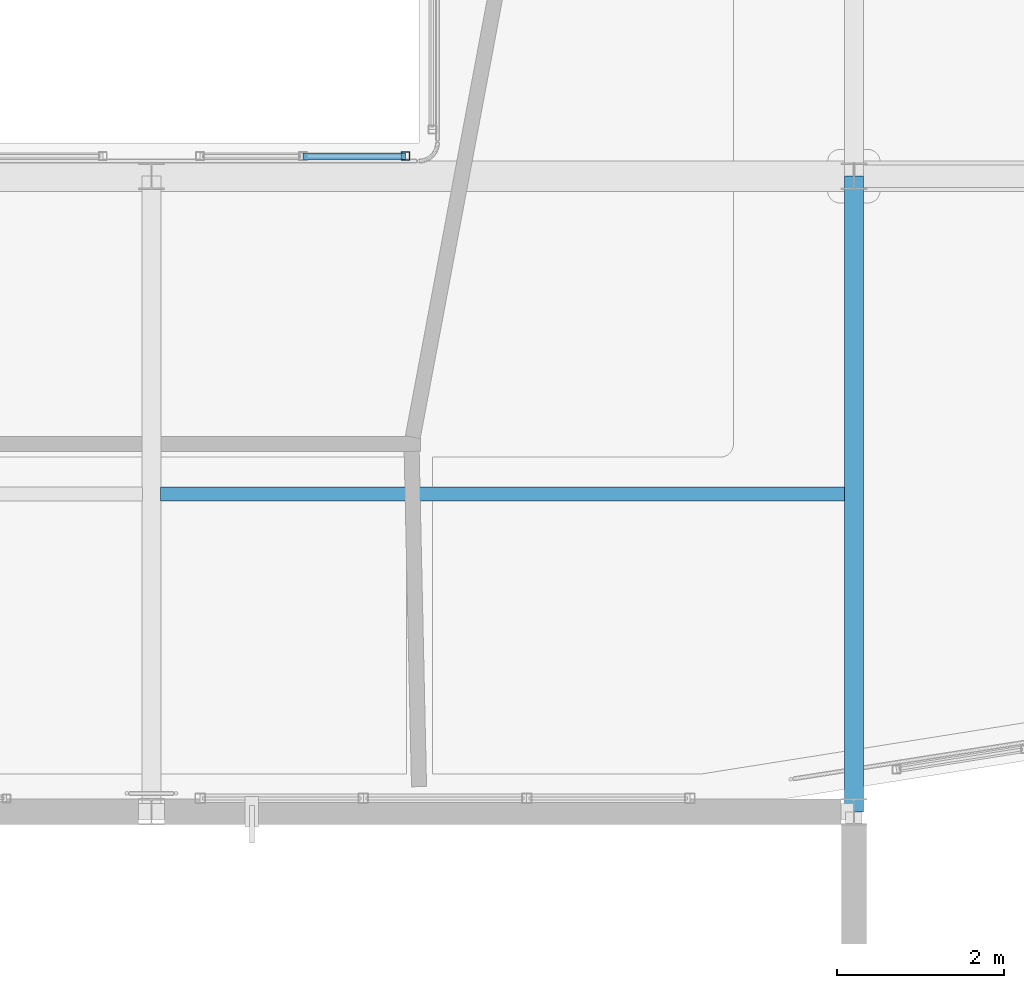
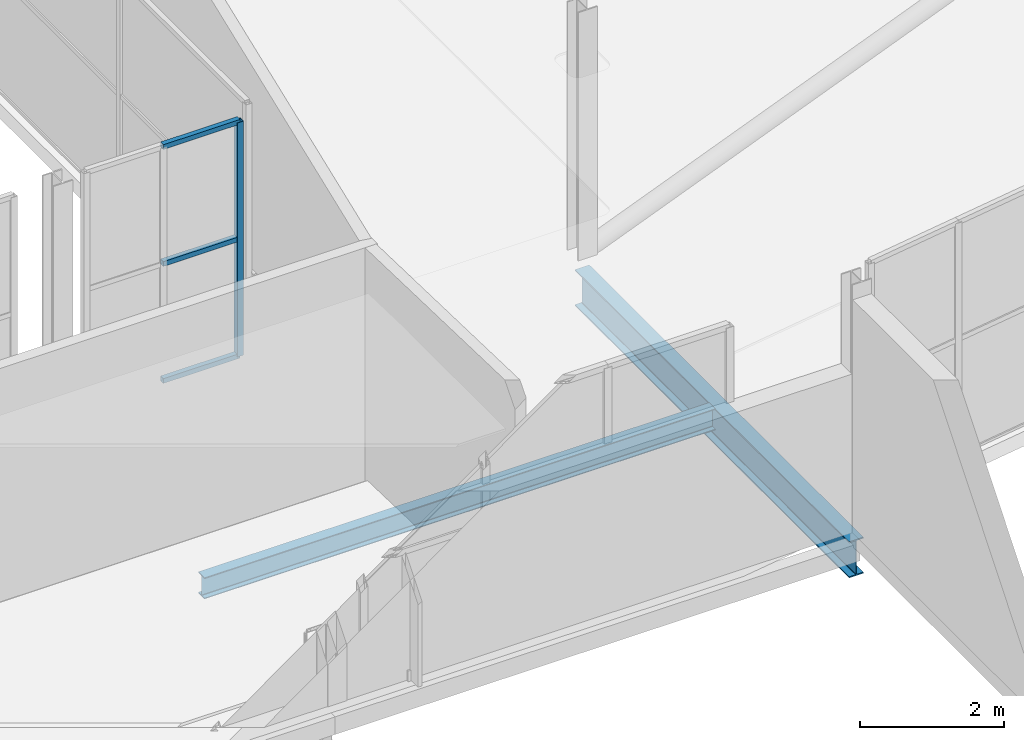
# One storey, part 89 of 151: 4 members, 2 beams, 1 element without a shape of its own.
"""IFC4 building model written with IfcOpenShell, lengths in metres."""

import ifcopenshell
import ifcopenshell.guid

model = None  # the IFC model being written
_history = None  # IfcOwnerHistory: only IFC2X3 demands one
_inside = {}  # id of a spatial element -> (the spatial element, [elements in it])
_under = {}  # id of a project, library or spatial element -> (it, [spatial elements below it])
_declared = {}  # id of a project -> (the project, [libraries it declares])
_typed = {}  # id of a type object -> (the type object, [elements of that type])
_made_of = {}  # id of a material, layer set ... -> (it, [elements and type objects made of it])


def new_model(schema):
    """Start an empty IFC model of exactly this schema.

    Asked for "IFC4X3", IfcOpenShell would pick the latest addendum, in which some entities
    have other attributes; the version numbers below select the first issue.
    IFC2X3 requires an IfcOwnerHistory on every rooted entity: one is made here for all.
    """
    global model, _history
    if schema == "IFC4X3":
        model = ifcopenshell.file(schema_version=(4, 3, 0, 0))
    else:
        model = ifcopenshell.file(schema=schema)
    _inside.clear()
    _under.clear()
    _declared.clear()
    _typed.clear()
    _made_of.clear()
    _history = None
    if model.schema == "IFC2X3":
        org = make("IfcOrganization", Name="unknown")
        user = make(
            "IfcPersonAndOrganization",
            ThePerson=make("IfcPerson", FamilyName="unknown"),
            TheOrganization=org,
        )
        app = make(
            "IfcApplication",
            ApplicationDeveloper=org,
            Version="unknown",
            ApplicationFullName="unknown",
            ApplicationIdentifier="unknown",
        )
        _history = make(
            "IfcOwnerHistory",
            OwningUser=user,
            OwningApplication=app,
            ChangeAction="ADDED",
            CreationDate=0,
        )
    return model


def make(cls, **values):
    """One entity of the class cls with the attributes given. An attribute that is None is left unset."""
    return model.create_entity(
        cls, **{name: value for name, value in values.items() if value is not None}
    )


def rooted(cls, **values):
    """An entity with a GlobalId (a new one), such as an element, a storey or a relation."""
    return make(cls, GlobalId=ifcopenshell.guid.new(), OwnerHistory=_history, **values)


def si_unit(unit_type, name, prefix=None):
    """IfcSIUnit, for example si_unit("LENGTHUNIT", "METRE", prefix="MILLI")."""
    return make("IfcSIUnit", UnitType=unit_type, Prefix=prefix, Name=name)


def assignment(units):
    """IfcUnitAssignment: the units of a project."""
    return None if units is None else make("IfcUnitAssignment", Units=units)


def point(xyz):
    """IfcCartesianPoint."""
    return None if xyz is None else make("IfcCartesianPoint", Coordinates=xyz)


def direction(xyz):
    """IfcDirection."""
    return None if xyz is None else make("IfcDirection", DirectionRatios=xyz)


def frame(location, z_axis=None, x_axis=None):
    """IfcAxis2Placement3D, a coordinate frame: its origin and axes. An axis left out is left unset."""
    return make(
        "IfcAxis2Placement3D",
        Location=point(location),
        Axis=direction(z_axis),
        RefDirection=direction(x_axis),
    )


def frame_2d(location, x_axis=None):
    """IfcAxis2Placement2D, a coordinate frame in the plane: its origin and x axis."""
    return make(
        "IfcAxis2Placement2D", Location=point(location), RefDirection=direction(x_axis)
    )


def origin():
    """The frame at (0, 0, 0) with its axes left unset."""
    return frame((0.0, 0.0, 0.0))


def origin_2d():
    """The frame at (0, 0) in the plane with its x axis left unset."""
    return frame_2d((0.0, 0.0))


def place(relative_to, where):
    """IfcLocalPlacement: puts the frame where relative to a parent placement (None: the world)."""
    return make(
        "IfcLocalPlacement", PlacementRelTo=relative_to, RelativePlacement=where
    )


def context(
    kind, dimensions, precision=None, world=None, true_north=None, identifier=None
):
    """IfcGeometricRepresentationContext, for example the 3D "Model" context."""
    return make(
        "IfcGeometricRepresentationContext",
        ContextIdentifier=identifier,
        ContextType=kind,
        CoordinateSpaceDimension=dimensions,
        Precision=precision,
        WorldCoordinateSystem=world,
        TrueNorth=true_north,
    )


def subcontext(parent, identifier, kind, view, scale=None):
    """IfcGeometricRepresentationSubContext, for example "Body" below "Model"."""
    return make(
        "IfcGeometricRepresentationSubContext",
        ContextIdentifier=identifier,
        ContextType=kind,
        ParentContext=parent,
        TargetScale=scale,
        TargetView=view,
    )


def project(units=None, contexts=None):
    """IfcProject with its units and contexts."""
    return rooted(
        "IfcProject",
        Name="project",
        RepresentationContexts=contexts,
        UnitsInContext=assignment(units),
    )


def spatial(cls, under=None, at=None, **own):
    """A site, building, storey or space (cls), placed at a placement, below another one or the project."""
    s = rooted(cls, ObjectPlacement=at, **own)
    if under is not None:
        _under.setdefault(under.id(), (under, []))[1].append(s)
    return s


def profile(cls, at=None, kind="AREA", **sizes):
    """A parametric profile (cls). Its sizes go by their IFC names, for example OverallWidth=200.0."""
    return make(cls, ProfileType=kind, Position=at, **sizes)


def hollow_rectangle(**sizes):
    """IfcRectangleHollowProfileDef."""
    return profile("IfcRectangleHollowProfileDef", **sizes)


def i_section(**sizes):
    """IfcIShapeProfileDef."""
    return profile("IfcIShapeProfileDef", **sizes)


def extrude(swept, where, along, depth):
    """IfcExtrudedAreaSolid: the profile swept, set in the frame where, extruded along a direction by depth."""
    return make(
        "IfcExtrudedAreaSolid",
        SweptArea=swept,
        Position=where,
        ExtrudedDirection=direction(along),
        Depth=depth,
    )


def shape(context_of_items, identifier, shape_type, items):
    """IfcShapeRepresentation: the items that make up one representation, for example the "Body"."""
    return make(
        "IfcShapeRepresentation",
        ContextOfItems=context_of_items,
        RepresentationIdentifier=identifier,
        RepresentationType=shape_type,
        Items=items,
    )


def material(Name=None, Category=None):
    """IfcMaterial."""
    return make("IfcMaterial", Name=Name, Category=Category)


def material_profile(
    of_material, cross_section, Name=None, Category=None, Priority=None
):
    """IfcMaterialProfile: a cross section and its material."""
    return make(
        "IfcMaterialProfile",
        Name=Name,
        Material=of_material,
        Profile=cross_section,
        Priority=Priority,
        Category=Category,
    )


def profile_set(profiles, Name=None, composite=None):
    """IfcMaterialProfileSet."""
    return make(
        "IfcMaterialProfileSet",
        Name=Name,
        MaterialProfiles=profiles,
        CompositeProfile=composite,
    )


def made_of(thing, what):
    """Note that an element or type object is made of a material, layer set ...; save() writes the relation."""
    if what is not None:
        _made_of.setdefault(what.id(), (what, []))[1].append(thing)
    return thing


def type_object(cls, material=None, **own):
    """A type object (cls), such as IfcWallType, which elements share."""
    return made_of(rooted(cls, **own), material)


def element(
    cls,
    number,
    at=None,
    inside=None,
    cuts=None,
    type_object=None,
    material=None,
    context=None,
    identifier="Body",
    shape_type=None,
    held_by="IfcProductDefinitionShape",
    body=None,
    shapes=None,
    **own,
):
    """One element of the class cls, such as IfcWall. Its Tag is "e" and its number.

    at: its placement. inside: the storey or other place that contains it. cuts: it is an
    opening in that element (IfcRelVoidsElement). A single representation is given by context,
    identifier, shape_type and body (its items); several are given by shapes. held_by: the class
    of the entity that holds the representations. save() writes the other relations.
    """
    e = rooted(cls, Tag="e%d" % number, ObjectPlacement=at, **own)
    if body is not None:
        shapes = [shape(context, identifier, shape_type, body)]
    if shapes is not None:
        e.Representation = make(held_by, Representations=shapes)
    if inside is not None:
        _inside.setdefault(inside.id(), (inside, []))[1].append(e)
    if cuts is not None:
        rooted(
            "IfcRelVoidsElement", RelatingBuildingElement=cuts, RelatedOpeningElement=e
        )
    if type_object is not None:
        _typed.setdefault(type_object.id(), (type_object, []))[1].append(e)
    return made_of(e, material)


def aggregate(whole, parts):
    """IfcRelAggregates: a whole, such as a stair, and the parts it consists of."""
    return rooted("IfcRelAggregates", RelatingObject=whole, RelatedObjects=parts)


def save(model, path):
    """Write the relations noted so far, then the file.

    IfcRelAggregates (storeys below a building ...), IfcRelContainedInSpatialStructure (elements
    in a storey), IfcRelDefinesByType, IfcRelAssociatesMaterial and IfcRelDeclares: one each for
    every whole, place, type object, material and project.
    """
    for whole, parts in _under.values():
        aggregate(whole, parts)
    for where, things in _inside.values():
        rooted(
            "IfcRelContainedInSpatialStructure",
            RelatedElements=things,
            RelatingStructure=where,
        )
    for kind, things in _typed.values():
        rooted("IfcRelDefinesByType", RelatedObjects=things, RelatingType=kind)
    for what, things in _made_of.values():
        rooted("IfcRelAssociatesMaterial", RelatedObjects=things, RelatingMaterial=what)
    for by, libraries in _declared.values():
        rooted("IfcRelDeclares", RelatingContext=by, RelatedDefinitions=libraries)
    model.write(path)


model = new_model("IFC4")

# Units and contexts
model_context = context("Model", 3, precision=1e-05, world=origin(), true_north=direction((0.0, 1.0)))
body_context = subcontext(model_context, "Body", "Model", "MODEL_VIEW")
ifc_project = project(units=[si_unit("LENGTHUNIT", "METRE"), si_unit("AREAUNIT", "SQUARE_METRE"), si_unit("VOLUMEUNIT", "CUBIC_METRE"), si_unit("PLANEANGLEUNIT", "RADIAN"), si_unit("MASSUNIT", "GRAM", prefix="KILO")], contexts=[model_context])

# Site, building, storey
site_placement = place(None, origin())
site = spatial("IfcSite", under=ifc_project, at=site_placement, CompositionType="ELEMENT")
building_placement = place(site_placement, origin())
building = spatial("IfcBuilding", under=site, at=building_placement, Name="Zuvorla Pavilion Media Centre", CompositionType="ELEMENT")
storey_placement = place(building_placement, frame((0.0, 0.0, 13.800048828125)))
storey = spatial("IfcBuildingStorey", under=building, at=storey_placement, Name="L03", CompositionType="ELEMENT", Elevation=13.800048828125)

# Beams
ifc_material_1 = material(Name="Steel S355", Category="steel")
ifc_material_profile_1 = material_profile(ifc_material_1, i_section(OverallWidth=0.172119140625, OverallDepth=0.35791015625, WebThickness=0.008056640625, FlangeThickness=0.012939453125, FilletRadius=0.01025390625, at=origin_2d()), Name="UB 356x171x57")
ifc_profile_set_1 = profile_set([ifc_material_profile_1], Name="Steel S355")
beam_type_1 = type_object("IfcBeamType", Name="BM-UB356", PredefinedType="JOIST", material=ifc_profile_set_1)
beam_1_placement = place(storey_placement, frame((150.909423828125, 47.800048828125, -0.43701171875), z_axis=(1.0, 0.0, 0.0), x_axis=(0.0, 1.0, 0.0)))
element("IfcBeam", 1, at=beam_1_placement, inside=storey, type_object=beam_type_1, Name="L03 joist J03 1287", PredefinedType="JOIST", context=body_context, shape_type="SweptSolid", body=[
    extrude(i_section(OverallWidth=0.172119140625, OverallDepth=0.35791015625, WebThickness=0.008056640625, FlangeThickness=0.012939453125, FilletRadius=0.01025390625, at=origin_2d()), origin(), (0.0, 0.0, 1.0), 8.18115234375),
])
ifc_material_profile_2 = material_profile(ifc_material_1, i_section(OverallWidth=0.22900390625, OverallDepth=0.6123046875, WebThickness=0.011962890625, FlangeThickness=0.01953125, FilletRadius=0.0126953125, at=origin_2d()), Name="UB 610x229x125")
ifc_profile_set_2 = profile_set([ifc_material_profile_2], Name="Steel S355")
beam_type_2 = type_object("IfcBeamType", Name="BM-UB610", PredefinedType="BEAM", material=ifc_profile_set_2)
beam_2_placement = place(storey_placement, frame((159.199951171875, 44.0, -0.564208984375), z_axis=(0.0, 1.0, 0.0), x_axis=(-1.0, 0.0, 0.0)))
element("IfcBeam", 2, at=beam_2_placement, inside=storey, type_object=beam_type_2, Name="L03 beam B07 1222", PredefinedType="BEAM", context=body_context, shape_type="SweptSolid", body=[
    extrude(i_section(OverallWidth=0.22900390625, OverallDepth=0.6123046875, WebThickness=0.011962890625, FlangeThickness=0.01953125, FilletRadius=0.0126953125, at=origin_2d()), origin(), (0.0, 0.0, 1.0), 7.60009765625),
])

# Curtain wall, members
ifc_material_2 = material(Name="Unitised anodised aluminium and solar glass curtain wall", Category="aluminium")
curtain_wall_type = type_object("IfcCurtainWallType", Name="CW-SYS-56", PredefinedType="USERDEFINED", material=ifc_material_2)
curtain_wall_placement = place(storey_placement, origin())
curtain_wall = element("IfcCurtainWall", 3, at=curtain_wall_placement, inside=storey, type_object=curtain_wall_type, Name="L03 curtain wall CW56 184", ObjectType="CURTAIN WALL", PredefinedType="USERDEFINED")
ifc_material_3 = material(Name="Anodised aluminium 6063-T6", Category="aluminium")
ifc_material_profile_3 = material_profile(ifc_material_3, hollow_rectangle(XDim=0.10009765625, YDim=0.10009765625, WallThickness=0.00439453125, at=origin_2d()), Name="ALU MULL 100x100")
ifc_profile_set_3 = profile_set([ifc_material_profile_3], Name="Anodised aluminium 6063-T6")
member_type_1 = type_object("IfcMemberType", Name="CW-MULL-100", PredefinedType="MULLION", material=ifc_profile_set_3)
member_1_placement = place(storey_placement, frame((153.840087890625, 51.840087890625, 0.0), z_axis=(0.0, 0.0, 1.0), x_axis=(1.0, 0.0, 0.0)))
member_1 = element("IfcMember", 4, at=member_1_placement, type_object=member_type_1, Name="CW56 mullion 3", PredefinedType="MULLION", context=body_context, shape_type="SweptSolid", body=[
    extrude(hollow_rectangle(XDim=0.10009765625, YDim=0.10009765625, WallThickness=0.00439453125, at=origin_2d()), origin(), (0.0, 0.0, 1.0), 3.9599609375),
])
ifc_material_profile_4 = material_profile(ifc_material_3, hollow_rectangle(XDim=0.080078125, YDim=0.080078125, WallThickness=0.00390625, at=origin_2d()), Name="ALU TRAN 80x80")
ifc_profile_set_4 = profile_set([ifc_material_profile_4], Name="Anodised aluminium 6063-T6")
member_type_2 = type_object("IfcMemberType", Name="CW-TRAN-80", PredefinedType="USERDEFINED", material=ifc_profile_set_4)
member_2_placement = place(storey_placement, frame((152.61083984375, 51.840087890625, 0.0), z_axis=(1.0, 0.0, 0.0), x_axis=(0.0, 1.0, 0.0)))
member_2 = element("IfcMember", 5, at=member_2_placement, type_object=member_type_2, Name="CW56 transom 2.1", ObjectType="TRANSOM", PredefinedType="USERDEFINED", context=body_context, shape_type="SweptSolid", body=[
    extrude(hollow_rectangle(XDim=0.080078125, YDim=0.080078125, WallThickness=0.00390625, at=origin_2d()), origin(), (0.0, 0.0, 1.0), 1.229248046875),
])
member_3_placement = place(storey_placement, frame((152.61083984375, 51.840087890625, 1.97998046875), z_axis=(1.0, 0.0, 0.0), x_axis=(0.0, 1.0, 0.0)))
member_3 = element("IfcMember", 6, at=member_3_placement, type_object=member_type_2, Name="CW56 transom 2.2", ObjectType="TRANSOM", PredefinedType="USERDEFINED", context=body_context, shape_type="SweptSolid", body=[
    extrude(hollow_rectangle(XDim=0.080078125, YDim=0.080078125, WallThickness=0.00390625, at=origin_2d()), origin(), (0.0, 0.0, 1.0), 1.229248046875),
])
member_4_placement = place(storey_placement, frame((152.61083984375, 51.840087890625, 3.9599609375), z_axis=(1.0, 0.0, 0.0), x_axis=(0.0, 1.0, 0.0)))
member_4 = element("IfcMember", 7, at=member_4_placement, type_object=member_type_2, Name="CW56 transom 2.3", ObjectType="TRANSOM", PredefinedType="USERDEFINED", context=body_context, shape_type="SweptSolid", body=[
    extrude(hollow_rectangle(XDim=0.080078125, YDim=0.080078125, WallThickness=0.00390625, at=origin_2d()), origin(), (0.0, 0.0, 1.0), 1.229248046875),
])
aggregate(curtain_wall, [member_1, member_2, member_3, member_4])

save(model, "model.ifc")
